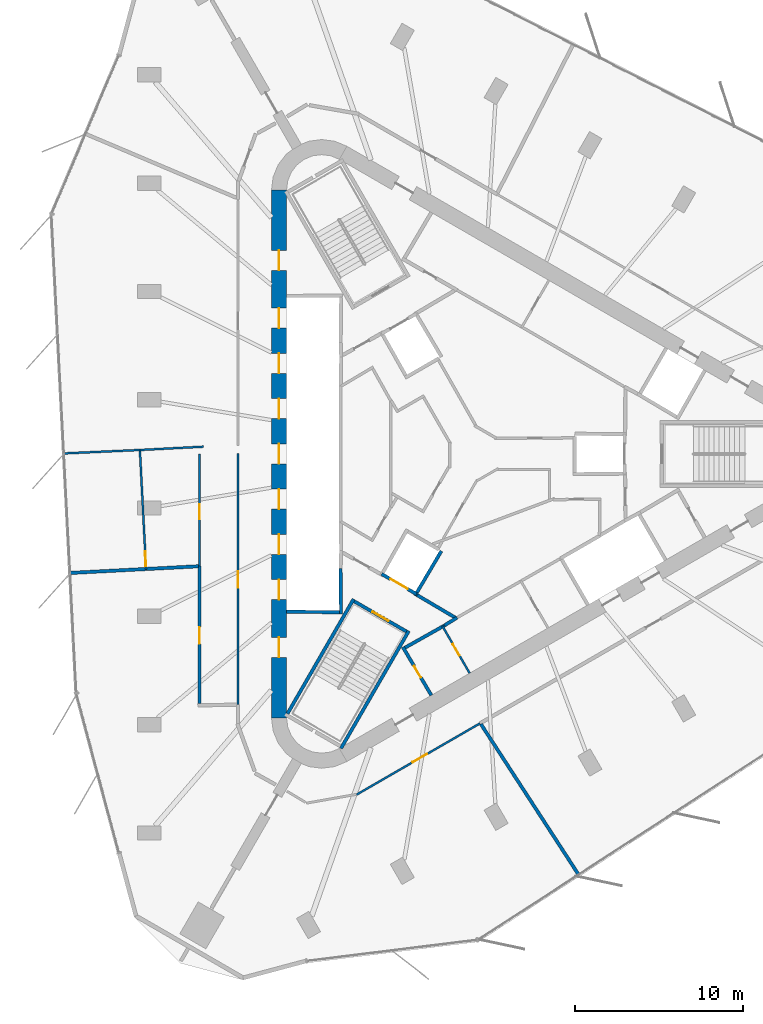
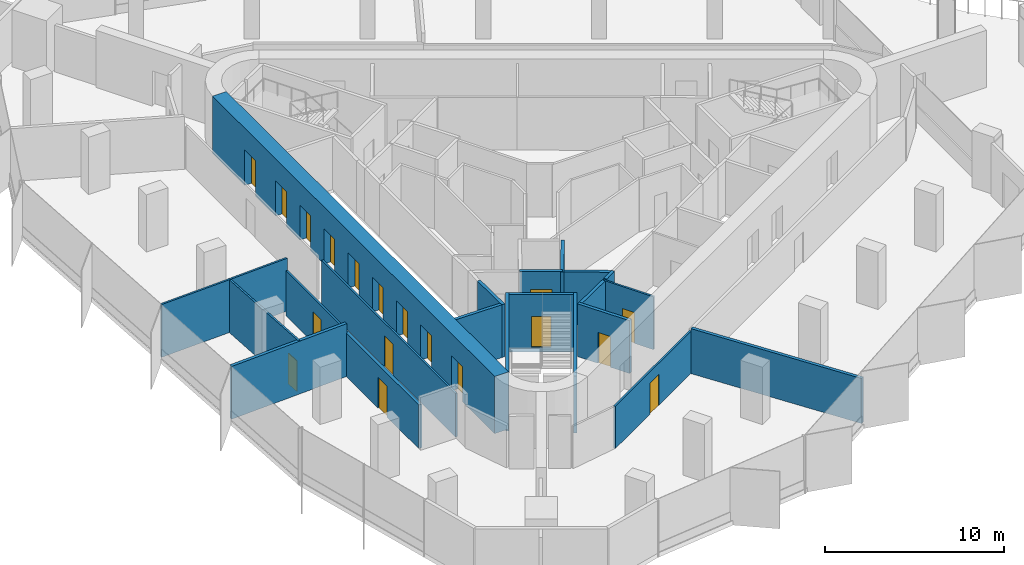
# One storey, part 7 of 12: 22 walls, 18 doors, 18 openings.
"""IFC4 building model written with IfcOpenShell, lengths in metres."""

from ifc_helpers import new_model, si_unit, direction, frame, frame_2d, origin, place, context, subcontext, project, spatial, rectangle, extrude, material, layer, layer_set, type_object, element, fill, save


model = new_model("IFC4")

# Units and contexts
model_context = context("Model", 3, precision=1e-05, world=origin(), true_north=direction((0.0, 1.0)))
body_context = subcontext(model_context, "Body", "Model", "MODEL_VIEW")
ifc_project = project(units=[si_unit("LENGTHUNIT", "METRE"), si_unit("AREAUNIT", "SQUARE_METRE"), si_unit("VOLUMEUNIT", "CUBIC_METRE"), si_unit("PLANEANGLEUNIT", "RADIAN"), si_unit("MASSUNIT", "GRAM", prefix="KILO")], contexts=[model_context])

# Site, building, storey
site_placement = place(None, origin())
site = spatial("IfcSite", under=ifc_project, at=site_placement, CompositionType="ELEMENT")
building_placement = place(site_placement, origin())
building = spatial("IfcBuilding", under=site, at=building_placement, Name="Tanit Gate Tower", CompositionType="ELEMENT")
storey_placement = place(building_placement, frame((0.0, 0.0, 361.10009765625)))
storey = spatial("IfcBuildingStorey", under=building, at=storey_placement, Name="L82", CompositionType="ELEMENT", Elevation=361.10009765625)

# Wall, openings, doors
ifc_material_1 = material(Name="Concrete C40/50", Category="concrete")
ifc_layer_1 = layer(ifc_material_1, 0.89990234375)
ifc_layer_set_1 = layer_set([ifc_layer_1], Name="CORE WALL 900 C40/50")
wall_type_1 = type_object("IfcWallType", Name="CORE WALL 900 C40/50", PredefinedType="SHEAR", material=ifc_layer_set_1)
wall_1_placement = place(storey_placement, frame((-11.64990234375, 15.76171875, 0.0), z_axis=(0.0, 0.0, 1.0), x_axis=(0.0, -1.0, 0.0)))
wall_1 = element("IfcWall", 1, at=wall_1_placement, inside=storey, type_object=wall_type_1, Name="CORE WALL", PredefinedType="SHEAR", context=body_context, shape_type="SweptSolid", body=[
    extrude(rectangle(XDim=31.5234375, YDim=0.89990234375, at=frame_2d((15.76171875, 0.0))), origin(), (0.0, 0.0, 1.0), 3.89990234375),
])
opening_1_placement = place(wall_1_placement, frame((7.061767578125, 0.0, 0.0)))
opening_1 = element("IfcOpeningElement", 2, at=opening_1_placement, cuts=wall_1, Name="Opening LDHL1-82", PredefinedType="OPENING", context=body_context, shape_type="SweptSolid", body=[
    extrude(rectangle(XDim=1.199951171875, YDim=2.39990234375, at=frame_2d((0.60009765625, 1.199951171875))), frame((0.0, 0.4599609375, 0.0), z_axis=(0.0, -1.0, 0.0), x_axis=(1.0, 0.0, 0.0)), (0.0, 0.0, 1.0), 0.919921875),
])
opening_2_placement = place(wall_1_placement, frame((9.76171875, 0.0, 0.0)))
opening_2 = element("IfcOpeningElement", 3, at=opening_2_placement, cuts=wall_1, Name="Opening LDHL2-82", PredefinedType="OPENING", context=body_context, shape_type="SweptSolid", body=[
    extrude(rectangle(XDim=1.199951171875, YDim=2.39990234375, at=frame_2d((0.60009765625, 1.199951171875))), frame((0.0, 0.4599609375, 0.0), z_axis=(0.0, -1.0, 0.0), x_axis=(1.0, 0.0, 0.0)), (0.0, 0.0, 1.0), 0.919921875),
])
opening_3_placement = place(wall_1_placement, frame((12.461669921875, 0.0, 0.0)))
opening_3 = element("IfcOpeningElement", 4, at=opening_3_placement, cuts=wall_1, Name="Opening LDHL3-82", PredefinedType="OPENING", context=body_context, shape_type="SweptSolid", body=[
    extrude(rectangle(XDim=1.199951171875, YDim=2.39990234375, at=frame_2d((0.60009765625, 1.199951171875))), frame((0.0, 0.4599609375, 0.0), z_axis=(0.0, -1.0, 0.0), x_axis=(1.0, 0.0, 0.0)), (0.0, 0.0, 1.0), 0.919921875),
])
opening_4_placement = place(wall_1_placement, frame((15.16162109375, 0.0, 0.0)))
opening_4 = element("IfcOpeningElement", 5, at=opening_4_placement, cuts=wall_1, Name="Opening LDHL4-82", PredefinedType="OPENING", context=body_context, shape_type="SweptSolid", body=[
    extrude(rectangle(XDim=1.199951171875, YDim=2.39990234375, at=frame_2d((0.60009765625, 1.199951171875))), frame((0.0, 0.4599609375, 0.0), z_axis=(0.0, -1.0, 0.0), x_axis=(1.0, 0.0, 0.0)), (0.0, 0.0, 1.0), 0.919921875),
])
opening_5_placement = place(wall_1_placement, frame((17.86181640625, 0.0, 0.0)))
opening_5 = element("IfcOpeningElement", 6, at=opening_5_placement, cuts=wall_1, Name="Opening LDHL5-82", PredefinedType="OPENING", context=body_context, shape_type="SweptSolid", body=[
    extrude(rectangle(XDim=1.199951171875, YDim=2.39990234375, at=frame_2d((0.60009765625, 1.199951171875))), frame((0.0, 0.4599609375, 0.0), z_axis=(0.0, -1.0, 0.0), x_axis=(1.0, 0.0, 0.0)), (0.0, 0.0, 1.0), 0.919921875),
])
opening_6_placement = place(wall_1_placement, frame((20.561767578125, 0.0, 0.0)))
opening_6 = element("IfcOpeningElement", 7, at=opening_6_placement, cuts=wall_1, Name="Opening LDHL6-82", PredefinedType="OPENING", context=body_context, shape_type="SweptSolid", body=[
    extrude(rectangle(XDim=1.199951171875, YDim=2.39990234375, at=frame_2d((0.60009765625, 1.199951171875))), frame((0.0, 0.4599609375, 0.0), z_axis=(0.0, -1.0, 0.0), x_axis=(1.0, 0.0, 0.0)), (0.0, 0.0, 1.0), 0.919921875),
])
opening_7_placement = place(wall_1_placement, frame((23.26171875, 0.0, 0.0)))
opening_7 = element("IfcOpeningElement", 8, at=opening_7_placement, cuts=wall_1, Name="Opening LDHL7-82", PredefinedType="OPENING", context=body_context, shape_type="SweptSolid", body=[
    extrude(rectangle(XDim=1.199951171875, YDim=2.39990234375, at=frame_2d((0.60009765625, 1.199951171875))), frame((0.0, 0.4599609375, 0.0), z_axis=(0.0, -1.0, 0.0), x_axis=(1.0, 0.0, 0.0)), (0.0, 0.0, 1.0), 0.919921875),
])
opening_8_placement = place(wall_1_placement, frame((3.61181640625, 0.0, 0.0)))
opening_8 = element("IfcOpeningElement", 9, at=opening_8_placement, cuts=wall_1, Name="Opening F12-82-FL2", PredefinedType="OPENING", context=body_context, shape_type="SweptSolid", body=[
    extrude(rectangle(XDim=1.199951171875, YDim=2.39990234375, at=frame_2d((0.60009765625, 1.199951171875))), frame((0.0, 0.4599609375, 0.0), z_axis=(0.0, -1.0, 0.0), x_axis=(1.0, 0.0, 0.0)), (0.0, 0.0, 1.0), 0.919921875),
])
opening_9_placement = place(wall_1_placement, frame((26.711669921875, 0.0, 0.0)))
opening_9 = element("IfcOpeningElement", 10, at=opening_9_placement, cuts=wall_1, Name="Opening F12-82-S3", PredefinedType="OPENING", context=body_context, shape_type="SweptSolid", body=[
    extrude(rectangle(XDim=1.199951171875, YDim=2.39990234375, at=frame_2d((0.60009765625, 1.199951171875))), frame((0.0, 0.4599609375, 0.0), z_axis=(0.0, -1.0, 0.0), x_axis=(1.0, 0.0, 0.0)), (0.0, 0.0, 1.0), 0.919921875),
])
ifc_material_2 = material(Name="Fire-rated steel door leaf", Category="steel")
door_type_1 = type_object("IfcDoorType", Name="INT-DOOR-FIRE-LOBBY-1200", OperationType="NOTDEFINED", PredefinedType="USERDEFINED", material=ifc_material_2)
door_1_placement = place(opening_8_placement, origin())
door_1 = element("IfcDoor", 11, at=door_1_placement, inside=storey, type_object=door_type_1, Name="Door F12-82-FL2", ObjectType="FIRE DOOR", OperationType="SINGLE_SWING_RIGHT", OverallHeight=2.39990234375, OverallWidth=1.199951171875, PredefinedType="USERDEFINED", context=body_context, shape_type="SweptSolid", body=[
    extrude(rectangle(XDim=1.199951171875, YDim=2.39990234375, at=frame_2d((0.60009765625, 1.199951171875))), frame((0.0, 0.02490234375, 0.0), z_axis=(0.0, -1.0, 0.0), x_axis=(1.0, 0.0, 0.0)), (0.0, 0.0, 1.0), 0.050048828125),
])
fill(opening_8, door_1)
door_2_placement = place(opening_9_placement, origin())
door_2 = element("IfcDoor", 12, at=door_2_placement, inside=storey, type_object=door_type_1, Name="Door F12-82-S3", ObjectType="FIRE DOOR", OperationType="SINGLE_SWING_RIGHT", OverallHeight=2.39990234375, OverallWidth=1.199951171875, PredefinedType="USERDEFINED", context=body_context, shape_type="SweptSolid", body=[
    extrude(rectangle(XDim=1.199951171875, YDim=2.39990234375, at=frame_2d((0.60009765625, 1.199951171875))), frame((0.0, 0.02490234375, 0.0), z_axis=(0.0, -1.0, 0.0), x_axis=(1.0, 0.0, 0.0)), (0.0, 0.0, 1.0), 0.050048828125),
])
fill(opening_9, door_2)
ifc_material_3 = material(Name="Stainless steel sliding door leaf", Category="steel")
door_type_2 = type_object("IfcDoorType", Name="INT-DOOR-LANDING-1200", OperationType="NOTDEFINED", PredefinedType="USERDEFINED", material=ifc_material_3)
door_3_placement = place(opening_1_placement, origin())
door_3 = element("IfcDoor", 13, at=door_3_placement, inside=storey, type_object=door_type_2, Name="Door LDHL1-82", ObjectType="LANDING DOOR", OperationType="SLIDING_TO_LEFT", OverallHeight=2.39990234375, OverallWidth=1.199951171875, PredefinedType="USERDEFINED", context=body_context, shape_type="SweptSolid", body=[
    extrude(rectangle(XDim=1.199951171875, YDim=2.39990234375, at=frame_2d((0.60009765625, 1.199951171875))), frame((0.0, 0.02490234375, 0.0), z_axis=(0.0, -1.0, 0.0), x_axis=(1.0, 0.0, 0.0)), (0.0, 0.0, 1.0), 0.050048828125),
])
fill(opening_1, door_3)
door_4_placement = place(opening_2_placement, origin())
door_4 = element("IfcDoor", 14, at=door_4_placement, inside=storey, type_object=door_type_2, Name="Door LDHL2-82", ObjectType="LANDING DOOR", OperationType="SLIDING_TO_LEFT", OverallHeight=2.39990234375, OverallWidth=1.199951171875, PredefinedType="USERDEFINED", context=body_context, shape_type="SweptSolid", body=[
    extrude(rectangle(XDim=1.199951171875, YDim=2.39990234375, at=frame_2d((0.60009765625, 1.199951171875))), frame((0.0, 0.02490234375, 0.0), z_axis=(0.0, -1.0, 0.0), x_axis=(1.0, 0.0, 0.0)), (0.0, 0.0, 1.0), 0.050048828125),
])
fill(opening_2, door_4)
door_5_placement = place(opening_3_placement, origin())
door_5 = element("IfcDoor", 15, at=door_5_placement, inside=storey, type_object=door_type_2, Name="Door LDHL3-82", ObjectType="LANDING DOOR", OperationType="SLIDING_TO_LEFT", OverallHeight=2.39990234375, OverallWidth=1.199951171875, PredefinedType="USERDEFINED", context=body_context, shape_type="SweptSolid", body=[
    extrude(rectangle(XDim=1.199951171875, YDim=2.39990234375, at=frame_2d((0.60009765625, 1.199951171875))), frame((0.0, 0.02490234375, 0.0), z_axis=(0.0, -1.0, 0.0), x_axis=(1.0, 0.0, 0.0)), (0.0, 0.0, 1.0), 0.050048828125),
])
fill(opening_3, door_5)
door_6_placement = place(opening_4_placement, origin())
door_6 = element("IfcDoor", 16, at=door_6_placement, inside=storey, type_object=door_type_2, Name="Door LDHL4-82", ObjectType="LANDING DOOR", OperationType="SLIDING_TO_LEFT", OverallHeight=2.39990234375, OverallWidth=1.199951171875, PredefinedType="USERDEFINED", context=body_context, shape_type="SweptSolid", body=[
    extrude(rectangle(XDim=1.199951171875, YDim=2.39990234375, at=frame_2d((0.60009765625, 1.199951171875))), frame((0.0, 0.02490234375, 0.0), z_axis=(0.0, -1.0, 0.0), x_axis=(1.0, 0.0, 0.0)), (0.0, 0.0, 1.0), 0.050048828125),
])
fill(opening_4, door_6)
door_7_placement = place(opening_5_placement, origin())
door_7 = element("IfcDoor", 17, at=door_7_placement, inside=storey, type_object=door_type_2, Name="Door LDHL5-82", ObjectType="LANDING DOOR", OperationType="SLIDING_TO_LEFT", OverallHeight=2.39990234375, OverallWidth=1.199951171875, PredefinedType="USERDEFINED", context=body_context, shape_type="SweptSolid", body=[
    extrude(rectangle(XDim=1.199951171875, YDim=2.39990234375, at=frame_2d((0.60009765625, 1.199951171875))), frame((0.0, 0.02490234375, 0.0), z_axis=(0.0, -1.0, 0.0), x_axis=(1.0, 0.0, 0.0)), (0.0, 0.0, 1.0), 0.050048828125),
])
fill(opening_5, door_7)
door_8_placement = place(opening_6_placement, origin())
door_8 = element("IfcDoor", 18, at=door_8_placement, inside=storey, type_object=door_type_2, Name="Door LDHL6-82", ObjectType="LANDING DOOR", OperationType="SLIDING_TO_LEFT", OverallHeight=2.39990234375, OverallWidth=1.199951171875, PredefinedType="USERDEFINED", context=body_context, shape_type="SweptSolid", body=[
    extrude(rectangle(XDim=1.199951171875, YDim=2.39990234375, at=frame_2d((0.60009765625, 1.199951171875))), frame((0.0, 0.02490234375, 0.0), z_axis=(0.0, -1.0, 0.0), x_axis=(1.0, 0.0, 0.0)), (0.0, 0.0, 1.0), 0.050048828125),
])
fill(opening_6, door_8)
door_9_placement = place(opening_7_placement, origin())
door_9 = element("IfcDoor", 19, at=door_9_placement, inside=storey, type_object=door_type_2, Name="Door LDHL7-82", ObjectType="LANDING DOOR", OperationType="SLIDING_TO_LEFT", OverallHeight=2.39990234375, OverallWidth=1.199951171875, PredefinedType="USERDEFINED", context=body_context, shape_type="SweptSolid", body=[
    extrude(rectangle(XDim=1.199951171875, YDim=2.39990234375, at=frame_2d((0.60009765625, 1.199951171875))), frame((0.0, 0.02490234375, 0.0), z_axis=(0.0, -1.0, 0.0), x_axis=(1.0, 0.0, 0.0)), (0.0, 0.0, 1.0), 0.050048828125),
])
fill(opening_7, door_9)

# Wall, opening, door
ifc_material_4 = material(Name="Fire-rated gypsum board partition")
ifc_layer_2 = layer(ifc_material_4, 0.199951171875)
ifc_layer_set_2 = layer_set([ifc_layer_2], Name="INT-WALL-COMPARTMENT")
wall_type_2 = type_object("IfcWallType", Name="INT-WALL-COMPARTMENT", PredefinedType="PARTITIONING", material=ifc_layer_set_2)
wall_2_placement = place(storey_placement, frame((-4.259765625, -11.523681640625, 0.0), z_axis=(0.0, 0.0, 1.0), x_axis=(0.507997497166, -0.861358544901, 0.0)))
wall_2 = element("IfcWall", 20, at=wall_2_placement, inside=storey, type_object=wall_type_2, Name="Wall Compartment W054", PredefinedType="PARTITIONING", context=body_context, shape_type="SweptSolid", body=[
    extrude(rectangle(XDim=3.350341796875, YDim=0.199951171875, at=frame_2d((1.67529296875, 0.0))), origin(), (0.0, 0.0, 1.0), 3.599853515625),
])
opening_10_placement = place(wall_2_placement, frame((1.3251953125, 0.0, 0.0)))
opening_10 = element("IfcOpeningElement", 21, at=opening_10_placement, cuts=wall_2, Name="Opening R08-82-17", PredefinedType="OPENING", context=body_context, shape_type="SweptSolid", body=[
    extrude(rectangle(XDim=0.800048828125, YDim=2.10009765625, at=frame_2d((0.39990234375, 1.050048828125))), frame((0.0, 0.10986328125, 0.0), z_axis=(0.0, -1.0, 0.0), x_axis=(1.0, 0.0, 0.0)), (0.0, 0.0, 1.0), 0.219970703125),
])
ifc_material_5 = material(Name="Timber door leaf", Category="wood")
door_type_3 = type_object("IfcDoorType", Name="INT-DOOR-RISER-800", OperationType="NOTDEFINED", PredefinedType="USERDEFINED", material=ifc_material_5)
door_10_placement = place(opening_10_placement, origin())
door_10 = element("IfcDoor", 22, at=door_10_placement, inside=storey, type_object=door_type_3, Name="Door R08-82-17", ObjectType="FIRE DOOR", OperationType="SINGLE_SWING_RIGHT", OverallHeight=2.10009765625, OverallWidth=0.800048828125, PredefinedType="USERDEFINED", context=body_context, shape_type="SweptSolid", body=[
    extrude(rectangle(XDim=0.800048828125, YDim=2.10009765625, at=frame_2d((0.39990234375, 1.050048828125))), frame((0.0, 0.02490234375, 0.0), z_axis=(0.0, -1.0, 0.0), x_axis=(1.0, 0.0, 0.0)), (0.0, 0.0, 1.0), 0.050048828125),
])
fill(opening_10, door_10)

# Walls
wall_3_placement = place(storey_placement, frame((-1.7685546875, -10.23681640625, 0.0), z_axis=(0.0, 0.0, 1.0), x_axis=(-0.871534483978, -0.490334215854, 0.0)))
element("IfcWall", 23, at=wall_3_placement, inside=storey, type_object=wall_type_2, Name="Wall Compartment W055", PredefinedType="PARTITIONING", context=body_context, shape_type="SweptSolid", body=[
    extrude(rectangle(XDim=2.7001953125, YDim=0.199951171875, at=frame_2d((1.35009765625, 0.0))), origin(), (0.0, 0.0, 1.0), 3.599853515625),
])
wall_4_placement = place(storey_placement, frame((-1.02392578125, -9.77099609375, 0.0), z_axis=(0.0, 0.0, 1.0), x_axis=(-0.850348075135, -0.526220629693, 0.0)))
element("IfcWall", 24, at=wall_4_placement, inside=storey, type_object=wall_type_2, Name="Wall Compartment W057", PredefinedType="PARTITIONING", context=body_context, shape_type="SweptSolid", body=[
    extrude(rectangle(XDim=0.878173828125, YDim=0.199951171875, at=frame_2d((0.43896484375, 0.0))), origin(), (0.0, 0.0, 1.0), 3.599853515625),
])
wall_5_placement = place(storey_placement, frame((-3.400634765625, -8.43017578125, 0.0), z_axis=(0.0, 0.0, 1.0), x_axis=(0.860614334655, -0.50925726994, 0.0)))
element("IfcWall", 25, at=wall_5_placement, inside=storey, type_object=wall_type_2, Name="Wall Compartment W066", PredefinedType="PARTITIONING", context=body_context, shape_type="SweptSolid", body=[
    extrude(rectangle(XDim=2.725830078125, YDim=0.199951171875, at=frame_2d((1.36279296875, 0.0))), origin(), (0.0, 0.0, 1.0), 3.599853515625),
])

# Wall, opening, door
wall_6_placement = place(storey_placement, frame((-16.39990234375, -6.68115234375, 0.0), z_axis=(0.0, 0.0, 1.0), x_axis=(0.0, -1.0, 0.0)))
wall_6 = element("IfcWall", 26, at=wall_6_placement, inside=storey, type_object=wall_type_2, Name="Wall Compartment W101", PredefinedType="PARTITIONING", context=body_context, shape_type="SweptSolid", body=[
    extrude(rectangle(XDim=8.21875, YDim=0.199951171875, at=frame_2d((4.109375, 0.0))), origin(), (0.0, 0.0, 1.0), 2.969970703125),
])
opening_11_placement = place(wall_6_placement, frame((3.654296875, 0.0, 0.0)))
opening_11 = element("IfcOpeningElement", 27, at=opening_11_placement, cuts=wall_6, Name="Opening F10-82-24", PredefinedType="OPENING", context=body_context, shape_type="SweptSolid", body=[
    extrude(rectangle(XDim=1.0, YDim=2.10009765625, at=frame_2d((0.5, 1.050048828125))), frame((0.0, 0.10986328125, 0.0), z_axis=(0.0, -1.0, 0.0), x_axis=(1.0, 0.0, 0.0)), (0.0, 0.0, 1.0), 0.219970703125),
])
ifc_material_6 = material(Name="Fire-rated steel door leaf", Category="steel")
door_type_4 = type_object("IfcDoorType", Name="INT-DOOR-FIRE-1000", OperationType="NOTDEFINED", PredefinedType="USERDEFINED", material=ifc_material_6)
door_11_placement = place(opening_11_placement, origin())
door_11 = element("IfcDoor", 28, at=door_11_placement, inside=storey, type_object=door_type_4, Name="Door F10-82-24", ObjectType="FIRE DOOR", OperationType="SINGLE_SWING_LEFT", OverallHeight=2.10009765625, OverallWidth=1.0, PredefinedType="USERDEFINED", context=body_context, shape_type="SweptSolid", body=[
    extrude(rectangle(XDim=1.0, YDim=2.10009765625, at=frame_2d((0.5, 1.050048828125))), frame((0.0, 0.02490234375, 0.0), z_axis=(0.0, -1.0, 0.0), x_axis=(1.0, 0.0, 0.0)), (0.0, 0.0, 1.0), 0.050048828125),
])
fill(opening_11, door_11)

# Walls
wall_7_placement = place(storey_placement, frame((-16.4599609375, -6.70703125, 0.0), z_axis=(0.0, 0.0, 1.0), x_axis=(-0.998655395114, -0.051840156344, 0.0)))
element("IfcWall", 29, at=wall_7_placement, inside=storey, type_object=wall_type_2, Name="Wall Compartment W109", PredefinedType="PARTITIONING", context=body_context, shape_type="SweptSolid", body=[
    extrude(rectangle(XDim=7.6669921875, YDim=0.199951171875, at=frame_2d((3.83349609375, 0.0))), origin(), (0.0, 0.0, 1.0), 3.599853515625),
])
wall_8_placement = place(storey_placement, frame((0.396484375, -16.12158203125, 0.0), z_axis=(0.0, 0.0, 1.0), x_axis=(0.544227089824, -0.838937944488, 0.0)))
element("IfcWall", 30, at=wall_8_placement, inside=storey, type_object=wall_type_2, Name="Wall Compartment W125", PredefinedType="PARTITIONING", context=body_context, shape_type="SweptSolid", body=[
    extrude(rectangle(XDim=10.712158203125, YDim=0.199951171875, at=frame_2d((5.35595703125, 0.0))), origin(), (0.0, 0.0, 1.0), 3.06982421875),
])

# Wall, opening, door
ifc_material_7 = material(Name="Gypsum board partition")
ifc_layer_3 = layer(ifc_material_7, 0.1201171875)
ifc_layer_set_3 = layer_set([ifc_layer_3], Name="INT-WALL-PARTITION")
wall_type_3 = type_object("IfcWallType", Name="INT-WALL-PARTITION", PredefinedType="PARTITIONING", material=ifc_layer_set_3)
wall_9_placement = place(storey_placement, frame((-1.896728515625, -10.27490234375, 0.0), z_axis=(0.0, 0.0, 1.0), x_axis=(0.499984717929, -0.866034226713, 0.0)))
wall_9 = element("IfcWall", 31, at=wall_9_placement, inside=storey, type_object=wall_type_3, Name="Wall Partition W053", PredefinedType="PARTITIONING", context=body_context, shape_type="SweptSolid", body=[
    extrude(rectangle(XDim=3.25, YDim=0.1201171875, at=frame_2d((1.625, 0.0))), origin(), (0.0, 0.0, 1.0), 3.599853515625),
])
opening_12_placement = place(wall_9_placement, frame((1.22509765625, 0.0, 0.0)))
opening_12 = element("IfcOpeningElement", 32, at=opening_12_placement, cuts=wall_9, Name="Opening R08-82-18", PredefinedType="OPENING", context=body_context, shape_type="SweptSolid", body=[
    extrude(rectangle(XDim=0.800048828125, YDim=2.10009765625, at=frame_2d((0.39990234375, 1.050048828125))), frame((0.0, 0.070068359375, 0.0), z_axis=(0.0, -1.0, 0.0), x_axis=(1.0, 0.0, 0.0)), (0.0, 0.0, 1.0), 0.14013671875),
])
door_12_placement = place(opening_12_placement, origin())
door_12 = element("IfcDoor", 33, at=door_12_placement, inside=storey, type_object=door_type_3, Name="Door R08-82-18", ObjectType="FIRE DOOR", OperationType="SINGLE_SWING_LEFT", OverallHeight=2.10009765625, OverallWidth=0.800048828125, PredefinedType="USERDEFINED", context=body_context, shape_type="SweptSolid", body=[
    extrude(rectangle(XDim=0.800048828125, YDim=2.10009765625, at=frame_2d((0.39990234375, 1.050048828125))), frame((0.0, 0.02490234375, 0.0), z_axis=(0.0, -1.0, 0.0), x_axis=(1.0, 0.0, 0.0)), (0.0, 0.0, 1.0), 0.050048828125),
])
fill(opening_12, door_12)

wall_10_placement = place(storey_placement, frame((-14.10009765625, 0.030029296875, 0.0), z_axis=(0.0, 0.0, 1.0), x_axis=(0.0, -1.0, 0.0)))
wall_10 = element("IfcWall", 34, at=wall_10_placement, inside=storey, type_object=wall_type_3, Name="Wall Partition W091", PredefinedType="PARTITIONING", context=body_context, shape_type="SweptSolid", body=[
    extrude(rectangle(XDim=14.97998046875, YDim=0.1201171875, at=frame_2d((7.489990234375, 0.0))), origin(), (0.0, 0.0, 1.0), 2.969970703125),
])
opening_13_placement = place(wall_10_placement, frame((7.030029296875, 0.0, 0.0)))
opening_13 = element("IfcOpeningElement", 35, at=opening_13_placement, cuts=wall_10, Name="Opening D10-82-29", PredefinedType="OPENING", context=body_context, shape_type="SweptSolid", body=[
    extrude(rectangle(XDim=1.0, YDim=2.10009765625, at=frame_2d((0.5, 1.050048828125))), frame((0.0, 0.070068359375, 0.0), z_axis=(0.0, -1.0, 0.0), x_axis=(1.0, 0.0, 0.0)), (0.0, 0.0, 1.0), 0.14013671875),
])
ifc_material_8 = material(Name="Timber door leaf", Category="wood")
door_type_5 = type_object("IfcDoorType", Name="INT-DOOR-SINGLE-1000", OperationType="NOTDEFINED", PredefinedType="NOTDEFINED", material=ifc_material_8)
door_13_placement = place(opening_13_placement, origin())
door_13 = element("IfcDoor", 36, at=door_13_placement, inside=storey, type_object=door_type_5, Name="Door D10-82-29", OperationType="SINGLE_SWING_RIGHT", OverallHeight=2.10009765625, OverallWidth=1.0, PredefinedType="NOTDEFINED", context=body_context, shape_type="SweptSolid", body=[
    extrude(rectangle(XDim=1.0, YDim=2.10009765625, at=frame_2d((0.5, 1.050048828125))), frame((0.0, 0.02490234375, 0.0), z_axis=(0.0, -1.0, 0.0), x_axis=(1.0, 0.0, 0.0)), (0.0, 0.0, 1.0), 0.050048828125),
])
fill(opening_13, door_13)

wall_11_placement = place(storey_placement, frame((-16.39990234375, 0.0, 0.0), z_axis=(0.0, 0.0, 1.0), x_axis=(0.0, -1.0, 0.0)))
wall_11 = element("IfcWall", 37, at=wall_11_placement, inside=storey, type_object=wall_type_3, Name="Wall Partition W099", PredefinedType="PARTITIONING", context=body_context, shape_type="SweptSolid", body=[
    extrude(rectangle(XDim=6.68115234375, YDim=0.1201171875, at=frame_2d((3.340576171875, 0.0))), origin(), (0.0, 0.0, 1.0), 3.06982421875),
])
opening_14_placement = place(wall_11_placement, frame((3.0, 0.0, 0.0)))
opening_14 = element("IfcOpeningElement", 38, at=opening_14_placement, cuts=wall_11, Name="Opening D09-82-30", PredefinedType="OPENING", context=body_context, shape_type="SweptSolid", body=[
    extrude(rectangle(XDim=0.89990234375, YDim=2.10009765625, at=frame_2d((0.449951171875, 1.050048828125))), frame((0.0, 0.070068359375, 0.0), z_axis=(0.0, -1.0, 0.0), x_axis=(1.0, 0.0, 0.0)), (0.0, 0.0, 1.0), 0.14013671875),
])
ifc_material_9 = material(Name="Timber door leaf", Category="wood")
door_type_6 = type_object("IfcDoorType", Name="INT-DOOR-SINGLE-900", OperationType="NOTDEFINED", PredefinedType="NOTDEFINED", material=ifc_material_9)
door_14_placement = place(opening_14_placement, origin())
door_14 = element("IfcDoor", 39, at=door_14_placement, inside=storey, type_object=door_type_6, Name="Door D09-82-30", OperationType="SINGLE_SWING_RIGHT", OverallHeight=2.10009765625, OverallWidth=0.89990234375, PredefinedType="NOTDEFINED", context=body_context, shape_type="SweptSolid", body=[
    extrude(rectangle(XDim=0.89990234375, YDim=2.10009765625, at=frame_2d((0.449951171875, 1.050048828125))), frame((0.0, 0.02490234375, 0.0), z_axis=(0.0, -1.0, 0.0), x_axis=(1.0, 0.0, 0.0)), (0.0, 0.0, 1.0), 0.050048828125),
])
fill(opening_14, door_14)

# Walls
wall_12_placement = place(storey_placement, frame((-24.487060546875, 0.02880859375, 0.0), z_axis=(0.0, 0.0, 1.0), x_axis=(0.998973194491, 0.0453051508, 0.0)))
element("IfcWall", 40, at=wall_12_placement, inside=storey, type_object=wall_type_3, Name="Wall Partition W105", PredefinedType="PARTITIONING", context=body_context, shape_type="SweptSolid", body=[
    extrude(rectangle(XDim=4.537353515625, YDim=0.1201171875, at=frame_2d((2.2685546875, 0.0))), origin(), (0.0, 0.0, 1.0), 3.599853515625),
])
wall_13_placement = place(storey_placement, frame((-19.954345703125, 0.234130859375, 0.0), z_axis=(0.0, 0.0, 1.0), x_axis=(0.998656105759, 0.05182646457, 0.0)))
element("IfcWall", 41, at=wall_13_placement, inside=storey, type_object=wall_type_3, Name="Wall Partition W106", PredefinedType="PARTITIONING", context=body_context, shape_type="SweptSolid", body=[
    extrude(rectangle(XDim=3.796875, YDim=0.1201171875, at=frame_2d((1.8984375, 0.0))), origin(), (0.0, 0.0, 1.0), 3.599853515625),
])

# Wall, opening, door
wall_14_placement = place(storey_placement, frame((-19.583984375, -6.899169921875, 0.0), z_axis=(0.0, 0.0, 1.0), x_axis=(-0.051876760629, 0.998653494315, 0.0)))
wall_14 = element("IfcWall", 42, at=wall_14_placement, inside=storey, type_object=wall_type_3, Name="Wall Partition W107", PredefinedType="PARTITIONING", context=body_context, shape_type="SweptSolid", body=[
    extrude(rectangle(XDim=7.082763671875, YDim=0.1201171875, at=frame_2d((3.54150390625, 0.0))), origin(), (0.0, 0.0, 1.0), 3.599853515625),
])
opening_15_placement = place(wall_14_placement, frame((0.199951171875, 0.0, 0.0)))
opening_15 = element("IfcOpeningElement", 43, at=opening_15_placement, cuts=wall_14, Name="Opening D09-82-23", PredefinedType="OPENING", context=body_context, shape_type="SweptSolid", body=[
    extrude(rectangle(XDim=0.89990234375, YDim=2.10009765625, at=frame_2d((0.449951171875, 1.050048828125))), frame((0.0, 0.070068359375, 0.0), z_axis=(0.0, -1.0, 0.0), x_axis=(1.0, 0.0, 0.0)), (0.0, 0.0, 1.0), 0.14013671875),
])
door_15_placement = place(opening_15_placement, origin())
door_15 = element("IfcDoor", 44, at=door_15_placement, inside=storey, type_object=door_type_6, Name="Door D09-82-23", OperationType="SINGLE_SWING_LEFT", OverallHeight=2.10009765625, OverallWidth=0.89990234375, PredefinedType="NOTDEFINED", context=body_context, shape_type="SweptSolid", body=[
    extrude(rectangle(XDim=0.89990234375, YDim=2.10009765625, at=frame_2d((0.449951171875, 1.050048828125))), frame((0.0, 0.02490234375, 0.0), z_axis=(0.0, -1.0, 0.0), x_axis=(1.0, 0.0, 0.0)), (0.0, 0.0, 1.0), 0.050048828125),
])
fill(opening_15, door_15)

wall_15_placement = place(storey_placement, frame((-7.026123046875, -20.337890625, 0.0), z_axis=(0.0, 0.0, 1.0), x_axis=(0.866020773897, 0.500008019114, 0.0)))
wall_15 = element("IfcWall", 45, at=wall_15_placement, inside=storey, type_object=wall_type_3, Name="Wall Partition W119", PredefinedType="PARTITIONING", context=body_context, shape_type="SweptSolid", body=[
    extrude(rectangle(XDim=8.510498046875, YDim=0.1201171875, at=frame_2d((4.25537109375, 0.0))), origin(), (0.0, 0.0, 1.0), 2.8798828125),
])
opening_16_placement = place(wall_15_placement, frame((3.860107421875, 0.0, 0.0)))
opening_16 = element("IfcOpeningElement", 46, at=opening_16_placement, cuts=wall_15, Name="Opening D10-82-27", PredefinedType="OPENING", context=body_context, shape_type="SweptSolid", body=[
    extrude(rectangle(XDim=1.0, YDim=2.10009765625, at=frame_2d((0.5, 1.050048828125))), frame((0.0, 0.070068359375, 0.0), z_axis=(0.0, -1.0, 0.0), x_axis=(1.0, 0.0, 0.0)), (0.0, 0.0, 1.0), 0.14013671875),
])
door_16_placement = place(opening_16_placement, origin())
door_16 = element("IfcDoor", 47, at=door_16_placement, inside=storey, type_object=door_type_5, Name="Door D10-82-27", OperationType="SINGLE_SWING_RIGHT", OverallHeight=2.10009765625, OverallWidth=1.0, PredefinedType="NOTDEFINED", context=body_context, shape_type="SweptSolid", body=[
    extrude(rectangle(XDim=1.0, YDim=2.10009765625, at=frame_2d((0.5, 1.050048828125))), frame((0.0, 0.02490234375, 0.0), z_axis=(0.0, -1.0, 0.0), x_axis=(1.0, 0.0, 0.0)), (0.0, 0.0, 1.0), 0.050048828125),
])
fill(opening_16, door_16)

# Walls
ifc_material_10 = material(Name="Gypsum shaft wall system")
ifc_layer_4 = layer(ifc_material_10, 0.199951171875)
ifc_layer_set_4 = layer_set([ifc_layer_4], Name="INT-WALL-SHAFT")
wall_type_4 = type_object("IfcWallType", Name="INT-WALL-SHAFT", PredefinedType="PLUMBINGWALL", material=ifc_layer_set_4)
wall_16_placement = place(storey_placement, frame((-7.97900390625, -6.85009765625, 0.0), z_axis=(0.0, 0.0, 1.0), x_axis=(0.011121475088, -0.999938154483, 0.0)))
element("IfcWall", 48, at=wall_16_placement, inside=storey, type_object=wall_type_4, Name="Wall Shaft W010", PredefinedType="PLUMBINGWALL", context=body_context, shape_type="SweptSolid", body=[
    extrude(rectangle(XDim=2.7001953125, YDim=0.199951171875, at=frame_2d((1.35009765625, 0.0))), origin(), (0.0, 0.0, 1.0), 3.599853515625),
])
wall_17_placement = place(storey_placement, frame((-8.050048828125, -9.448974609375, 0.0), z_axis=(0.0, 0.0, 1.0), x_axis=(-0.999957467379, 0.009222983926, 0.0)))
element("IfcWall", 49, at=wall_17_placement, inside=storey, type_object=wall_type_4, Name="Wall Shaft W011", PredefinedType="PLUMBINGWALL", context=body_context, shape_type="SweptSolid", body=[
    extrude(rectangle(XDim=3.150146484375, YDim=0.199951171875, at=frame_2d((1.5751953125, 0.0))), origin(), (0.0, 0.0, 1.0), 3.599853515625),
])

# Wall, opening, door
wall_18_placement = place(storey_placement, frame((-3.44580078125, -8.3681640625, 0.0), z_axis=(0.0, 0.0, 1.0), x_axis=(-0.866024647952, 0.500001309137, 0.0)))
wall_18 = element("IfcWall", 50, at=wall_18_placement, inside=storey, type_object=wall_type_4, Name="Wall Shaft W043", PredefinedType="PLUMBINGWALL", context=body_context, shape_type="SweptSolid", body=[
    extrude(rectangle(XDim=2.39990234375, YDim=0.199951171875, at=frame_2d((1.199951171875, 0.0))), origin(), (0.0, 0.0, 1.0), 3.599853515625),
])
opening_17_placement = place(wall_18_placement, frame((0.60009765625, 0.0, 0.0)))
opening_17 = element("IfcOpeningElement", 51, at=opening_17_placement, cuts=wall_18, Name="Opening LDFL3-L82", PredefinedType="OPENING", context=body_context, shape_type="SweptSolid", body=[
    extrude(rectangle(XDim=1.199951171875, YDim=2.39990234375, at=frame_2d((0.60009765625, 1.199951171875))), frame((0.0, 0.10986328125, 0.0), z_axis=(0.0, -1.0, 0.0), x_axis=(1.0, 0.0, 0.0)), (0.0, 0.0, 1.0), 0.219970703125),
])
door_17_placement = place(opening_17_placement, origin())
door_17 = element("IfcDoor", 52, at=door_17_placement, inside=storey, type_object=door_type_2, Name="Door LDFL3-L82", ObjectType="LANDING DOOR", OperationType="SLIDING_TO_LEFT", OverallHeight=2.39990234375, OverallWidth=1.199951171875, PredefinedType="USERDEFINED", context=body_context, shape_type="SweptSolid", body=[
    extrude(rectangle(XDim=1.199951171875, YDim=2.39990234375, at=frame_2d((0.60009765625, 1.199951171875))), frame((0.0, 0.02490234375, 0.0), z_axis=(0.0, -1.0, 0.0), x_axis=(1.0, 0.0, 0.0)), (0.0, 0.0, 1.0), 0.050048828125),
])
fill(opening_17, door_17)

# Walls
wall_19_placement = place(storey_placement, frame((-1.960693359375, -5.796142578125, 0.0), z_axis=(0.0, 0.0, 1.0), x_axis=(-0.508647062354, -0.860975125052, 0.0)))
element("IfcWall", 53, at=wall_19_placement, inside=storey, type_object=wall_type_4, Name="Wall Shaft W044", PredefinedType="PLUMBINGWALL", context=body_context, shape_type="SweptSolid", body=[
    extrude(rectangle(XDim=3.10009765625, YDim=0.199951171875, at=frame_2d((1.550048828125, 0.0))), origin(), (0.0, 0.0, 1.0), 3.599853515625),
])
ifc_material_11 = material(Name="Concrete C40/50", Category="concrete")
ifc_layer_5 = layer(ifc_material_11, 0.199951171875)
ifc_layer_set_5 = layer_set([ifc_layer_5], Name="INT-WALL-STAIR")
wall_type_5 = type_object("IfcWallType", Name="INT-WALL-STAIR", PredefinedType="SHEAR", material=ifc_layer_set_5)
wall_20_placement = place(storey_placement, frame((-3.904541015625, -10.56298828125, -0.300048828125), z_axis=(0.0, 0.0, 1.0), x_axis=(-0.500012932018, -0.866017937352, 0.0)))
element("IfcWall", 54, at=wall_20_placement, inside=storey, type_object=wall_type_5, Name="Wall Stair W038", PredefinedType="SHEAR", context=body_context, shape_type="SweptSolid", body=[
    extrude(rectangle(XDim=8.099853515625, YDim=0.199951171875, at=frame_2d((4.0498046875, 0.0))), origin(), (0.0, 0.0, 1.0), 3.89990234375),
])
wall_21_placement = place(storey_placement, frame((-7.195556640625, -8.662841796875, -0.300048828125), z_axis=(0.0, 0.0, 1.0), x_axis=(-0.499997992926, -0.866026562566, 0.0)))
element("IfcWall", 55, at=wall_21_placement, inside=storey, type_object=wall_type_5, Name="Wall Stair W041", PredefinedType="SHEAR", context=body_context, shape_type="SweptSolid", body=[
    extrude(rectangle(XDim=7.89990234375, YDim=0.199951171875, at=frame_2d((3.949951171875, 0.0))), origin(), (0.0, 0.0, 1.0), 3.89990234375),
])

# Wall, opening, door
wall_22_placement = place(storey_placement, frame((-4.041259765625, -10.599365234375, -0.300048828125), z_axis=(0.0, 0.0, 1.0), x_axis=(-0.866047807691, 0.499961193289, 0.0)))
wall_22 = element("IfcWall", 56, at=wall_22_placement, inside=storey, type_object=wall_type_5, Name="Wall Stair W042", PredefinedType="SHEAR", context=body_context, shape_type="SweptSolid", body=[
    extrude(rectangle(XDim=3.599853515625, YDim=0.199951171875, at=frame_2d((1.7998046875, 0.0))), origin(), (0.0, 0.0, 1.0), 3.89990234375),
])
opening_18_placement = place(wall_22_placement, frame((1.25, 0.0, 0.300048828125)))
opening_18 = element("IfcOpeningElement", 57, at=opening_18_placement, cuts=wall_22, Name="Opening S11-82-07", PredefinedType="OPENING", context=body_context, shape_type="SweptSolid", body=[
    extrude(rectangle(XDim=1.10009765625, YDim=2.10009765625, at=frame_2d((0.550048828125, 1.050048828125))), frame((0.0, 0.10986328125, 0.0), z_axis=(0.0, -1.0, 0.0), x_axis=(1.0, 0.0, 0.0)), (0.0, 0.0, 1.0), 0.219970703125),
])
ifc_material_12 = material(Name="Timber door leaf", Category="wood")
door_type_7 = type_object("IfcDoorType", Name="INT-DOOR-STAIR-1100", OperationType="NOTDEFINED", PredefinedType="USERDEFINED", material=ifc_material_12)
door_18_placement = place(opening_18_placement, origin())
door_18 = element("IfcDoor", 58, at=door_18_placement, inside=storey, type_object=door_type_7, Name="Door S11-82-07", ObjectType="FIRE DOOR", OperationType="SINGLE_SWING_LEFT", OverallHeight=2.10009765625, OverallWidth=1.10009765625, PredefinedType="USERDEFINED", context=body_context, shape_type="SweptSolid", body=[
    extrude(rectangle(XDim=1.10009765625, YDim=2.10009765625, at=frame_2d((0.550048828125, 1.050048828125))), frame((0.0, 0.02490234375, 0.0), z_axis=(0.0, -1.0, 0.0), x_axis=(1.0, 0.0, 0.0)), (0.0, 0.0, 1.0), 0.050048828125),
])
fill(opening_18, door_18)

save(model, "model.ifc")
